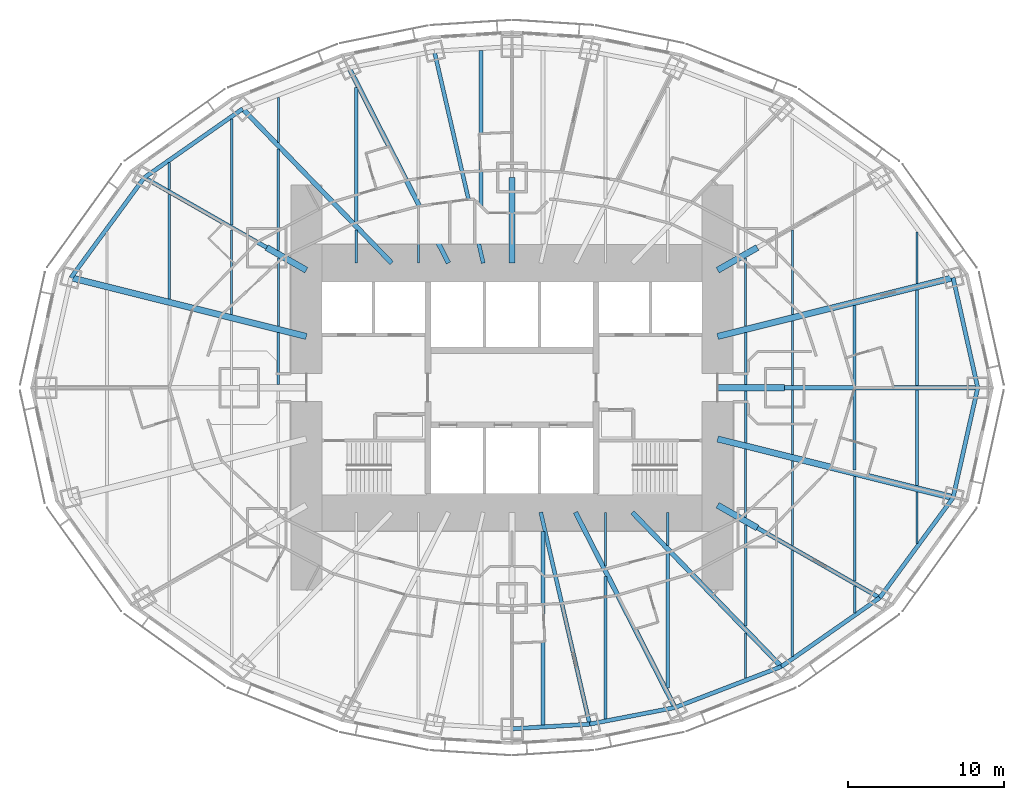
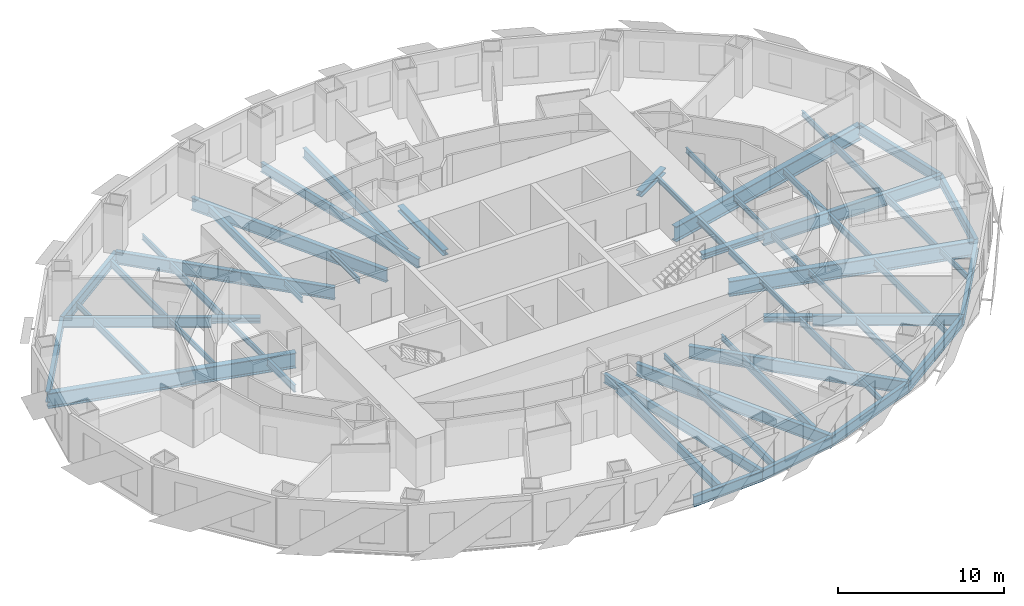
# One storey, part 2 of 15: 62 beams.
"""IFC4 building model written with IfcOpenShell, lengths in metres."""

from ifc_helpers import new_model, si_unit, direction, frame, origin, origin_2d, place, context, subcontext, project, spatial, i_section, extrude, material, material_profile, profile_set, type_object, element, save


model = new_model("IFC4")

# Units and contexts
model_context = context("Model", 3, precision=1e-05, world=origin(), true_north=direction((0.0, 1.0)))
body_context = subcontext(model_context, "Body", "Model", "MODEL_VIEW")
ifc_project = project(units=[si_unit("LENGTHUNIT", "METRE"), si_unit("AREAUNIT", "SQUARE_METRE"), si_unit("VOLUMEUNIT", "CUBIC_METRE"), si_unit("PLANEANGLEUNIT", "RADIAN"), si_unit("MASSUNIT", "GRAM", prefix="KILO")], contexts=[model_context])

# Site, building, storey
site_placement = place(None, origin())
site = spatial("IfcSite", under=ifc_project, at=site_placement, CompositionType="ELEMENT")
building_placement = place(site_placement, origin())
building = spatial("IfcBuilding", under=site, at=building_placement, Name="Lantaw Convention Tower", CompositionType="ELEMENT")
storey_placement = place(building_placement, frame((0.0, 0.0, 76.60009765625)))
storey = spatial("IfcBuildingStorey", under=building, at=storey_placement, Name="L17", CompositionType="ELEMENT", Elevation=76.60009765625)

# Beams
ifc_material = material(Name="Steel ASTM A992", Category="steel")
ifc_material_profile_1 = material_profile(ifc_material, i_section(OverallWidth=0.2666015625, OverallDepth=0.76953125, WebThickness=0.015625, FlangeThickness=0.025390625, FilletRadius=0.0126953125, at=origin_2d()), Name="W30X132")
ifc_profile_set_1 = profile_set([ifc_material_profile_1], Name="Steel ASTM A992")
beam_type_1 = type_object("IfcBeamType", Name="Beam E W30X132", PredefinedType="SPANDREL", material=ifc_profile_set_1)
beam_1_placement = place(storey_placement, frame((29.89990234375, 0.0, -0.534912109375), z_axis=(-0.218652184873, 0.975802860239, 0.0), x_axis=(-0.975802860239, -0.218652184873, 0.0)))
element("IfcBeam", 1, at=beam_1_placement, inside=storey, type_object=beam_type_1, Name="Edge beam 1", PredefinedType="SPANDREL", context=body_context, shape_type="SweptSolid", body=[
    extrude(i_section(OverallWidth=0.2666015625, OverallDepth=0.76953125, WebThickness=0.015625, FlangeThickness=0.025390625, FilletRadius=0.0126953125, at=origin_2d()), origin(), (0.0, 0.0, 1.0), 7.2353515625),
])
beam_2_placement = place(storey_placement, frame((-17.290771484375, 17.9052734375, -0.534912109375), z_axis=(-0.81942686407, -0.57318375277, 0.0), x_axis=(0.57318375277, -0.81942686407, 0.0)))
element("IfcBeam", 2, at=beam_2_placement, inside=storey, type_object=beam_type_1, Name="Edge beam 10", PredefinedType="SPANDREL", context=body_context, shape_type="SweptSolid", body=[
    extrude(i_section(OverallWidth=0.2666015625, OverallDepth=0.76953125, WebThickness=0.015625, FlangeThickness=0.025390625, FilletRadius=0.0126953125, at=origin_2d()), origin(), (0.0, 0.0, 1.0), 7.70556640625),
])
beam_3_placement = place(storey_placement, frame((-23.60498046875, 13.488525390625, -0.534912109375), z_axis=(-0.591270709086, -0.806473154281, 0.0), x_axis=(0.806473154281, -0.591270709086, 0.0)))
element("IfcBeam", 3, at=beam_3_placement, inside=storey, type_object=beam_type_1, Name="Edge beam 11", PredefinedType="SPANDREL", context=body_context, shape_type="SweptSolid", body=[
    extrude(i_section(OverallWidth=0.2666015625, OverallDepth=0.76953125, WebThickness=0.015625, FlangeThickness=0.025390625, FilletRadius=0.0126953125, at=origin_2d()), origin(), (0.0, 0.0, 1.0), 7.970703125),
])
beam_4_placement = place(storey_placement, frame((0.0, -21.89990234375, -0.534912109375), z_axis=(0.998173858406, 0.060406526096, 0.0), x_axis=(-0.060406526096, 0.998173858406, 0.0)))
element("IfcBeam", 4, at=beam_4_placement, inside=storey, type_object=beam_type_1, Name="Edge beam 19", PredefinedType="SPANDREL", context=body_context, shape_type="SweptSolid", body=[
    extrude(i_section(OverallWidth=0.2666015625, OverallDepth=0.76953125, WebThickness=0.015625, FlangeThickness=0.025390625, FilletRadius=0.0126953125, at=origin_2d()), origin(), (0.0, 0.0, 1.0), 4.995361328125),
])
beam_5_placement = place(storey_placement, frame((4.986328125, -21.59814453125, -0.534912109375), z_axis=(0.981636565323, 0.190760723474, 0.0), x_axis=(-0.190760723474, 0.981636565323, 0.0)))
element("IfcBeam", 5, at=beam_5_placement, inside=storey, type_object=beam_type_1, Name="Edge beam 20", PredefinedType="SPANDREL", context=body_context, shape_type="SweptSolid", body=[
    extrude(i_section(OverallWidth=0.2666015625, OverallDepth=0.76953125, WebThickness=0.015625, FlangeThickness=0.025390625, FilletRadius=0.0126953125, at=origin_2d()), origin(), (0.0, 0.0, 1.0), 5.578857421875),
])
beam_6_placement = place(storey_placement, frame((10.462646484375, -20.533935546875, -0.534912109375), z_axis=(0.933232900641, 0.359271976588, 0.0), x_axis=(-0.359271976588, 0.933232900641, 0.0)))
element("IfcBeam", 6, at=beam_6_placement, inside=storey, type_object=beam_type_1, Name="Edge beam 21", PredefinedType="SPANDREL", context=body_context, shape_type="SweptSolid", body=[
    extrude(i_section(OverallWidth=0.2666015625, OverallDepth=0.76953125, WebThickness=0.015625, FlangeThickness=0.025390625, FilletRadius=0.0126953125, at=origin_2d()), origin(), (0.0, 0.0, 1.0), 7.316650390625),
])
beam_7_placement = place(storey_placement, frame((17.290771484375, -17.9052734375, -0.534912109375), z_axis=(0.81942686407, 0.57318375277, 0.0), x_axis=(-0.57318375277, 0.81942686407, 0.0)))
element("IfcBeam", 7, at=beam_7_placement, inside=storey, type_object=beam_type_1, Name="Edge beam 22", PredefinedType="SPANDREL", context=body_context, shape_type="SweptSolid", body=[
    extrude(i_section(OverallWidth=0.2666015625, OverallDepth=0.76953125, WebThickness=0.015625, FlangeThickness=0.025390625, FilletRadius=0.0126953125, at=origin_2d()), origin(), (0.0, 0.0, 1.0), 7.70556640625),
])
beam_8_placement = place(storey_placement, frame((23.60498046875, -13.488525390625, -0.534912109375), z_axis=(0.591270709086, 0.806473154281, 0.0), x_axis=(-0.806473154281, 0.591270709086, 0.0)))
element("IfcBeam", 8, at=beam_8_placement, inside=storey, type_object=beam_type_1, Name="Edge beam 23", PredefinedType="SPANDREL", context=body_context, shape_type="SweptSolid", body=[
    extrude(i_section(OverallWidth=0.2666015625, OverallDepth=0.76953125, WebThickness=0.015625, FlangeThickness=0.025390625, FilletRadius=0.0126953125, at=origin_2d()), origin(), (0.0, 0.0, 1.0), 7.970703125),
])
beam_9_placement = place(storey_placement, frame((28.31787109375, -7.060302734375, -0.534912109375), z_axis=(0.218652184873, 0.975802860239, 0.0), x_axis=(-0.975802860239, 0.218652184873, 0.0)))
element("IfcBeam", 9, at=beam_9_placement, inside=storey, type_object=beam_type_1, Name="Edge beam 24", PredefinedType="SPANDREL", context=body_context, shape_type="SweptSolid", body=[
    extrude(i_section(OverallWidth=0.2666015625, OverallDepth=0.76953125, WebThickness=0.015625, FlangeThickness=0.025390625, FilletRadius=0.0126953125, at=origin_2d()), origin(), (0.0, 0.0, 1.0), 7.2353515625),
])
ifc_material_profile_2 = material_profile(ifc_material, i_section(OverallWidth=0.25390625, OverallDepth=0.683349609375, WebThickness=0.012451171875, FlangeThickness=0.01904296875, FilletRadius=0.01513671875, at=origin_2d()), Name="W27X94")
ifc_profile_set_2 = profile_set([ifc_material_profile_2], Name="Steel ASTM A992")
beam_type_2 = type_object("IfcBeamType", Name="Beam G W27X94", PredefinedType="BEAM", material=ifc_profile_set_2)
for number, where, z_axis, x_axis, name in (
    (10, (-1.846923828125, 8.0, -0.49169921875), (-0.224952773175, 0.97436966796, 0.0), (-0.97436966796, -0.224952773175, 0.0), "Floor girder on ray 8"),
    (11, (1.846923828125, -8.0, -0.49169921875), (0.224952773175, -0.97436966796, 0.0), (0.97436966796, 0.224952773175, 0.0), "Floor girder on ray 20"),
):
    element("IfcBeam", number, at=place(storey_placement, frame(where, z_axis=z_axis, x_axis=x_axis)), inside=storey, type_object=beam_type_2, Name=name, PredefinedType="BEAM", context=body_context, shape_type="SweptSolid", body=[
        extrude(i_section(OverallWidth=0.25390625, OverallDepth=0.683349609375, WebThickness=0.012451171875, FlangeThickness=0.01904296875, FilletRadius=0.01513671875, at=origin_2d()), origin(), (0.0, 0.0, 1.0), 13.955810546875),
    ])
ifc_material_profile_3 = material_profile(ifc_material, i_section(OverallWidth=0.2666015625, OverallDepth=0.7568359375, WebThickness=0.013916015625, FlangeThickness=0.019287109375, FilletRadius=0.0126953125, at=origin_2d()), Name="W30X108")
ifc_profile_set_3 = profile_set([ifc_material_profile_3], Name="Steel ASTM A992")
beam_type_3 = type_object("IfcBeamType", Name="Beam G W30X108", PredefinedType="BEAM", material=ifc_profile_set_3)
for number, where, z_axis, x_axis, name in (
    (12, (-15.75, 9.0, -0.528564453125), (-0.868244802791, 0.496136032179, 0.0), (-0.496136032179, -0.868244802791, 0.0), "Floor girder on ray 11"),
    (13, (15.75, -9.0, -0.528564453125), (0.868244802791, -0.496136032179, 0.0), (0.496136032179, 0.868244802791, 0.0), "Floor girder on ray 23"),
):
    element("IfcBeam", number, at=place(storey_placement, frame(where, z_axis=z_axis, x_axis=x_axis)), inside=storey, type_object=beam_type_3, Name=name, PredefinedType="BEAM", context=body_context, shape_type="SweptSolid", body=[
        extrude(i_section(OverallWidth=0.2666015625, OverallDepth=0.7568359375, WebThickness=0.013916015625, FlangeThickness=0.019287109375, FilletRadius=0.0126953125, at=origin_2d()), origin(), (0.0, 0.0, 1.0), 9.046875),
    ])
ifc_material_profile_4 = material_profile(ifc_material, i_section(OverallWidth=0.307373046875, OverallDepth=0.922119140625, WebThickness=0.018310546875, FlangeThickness=0.030029296875, FilletRadius=0.0126953125, at=origin_2d()), Name="W36X182")
ifc_profile_set_4 = profile_set([ifc_material_profile_4], Name="Steel ASTM A992")
beam_type_4 = type_object("IfcBeamType", Name="Beam G W36X182", PredefinedType="BEAM", material=ifc_profile_set_4)
beam_10_placement = place(storey_placement, frame((17.5, 0.0, -0.611083984375), z_axis=(1.0, 0.0, 0.0), x_axis=(0.0, 1.0, 0.0)))
element("IfcBeam", 14, at=beam_10_placement, inside=storey, type_object=beam_type_4, Name="Floor girder on ray 1", PredefinedType="BEAM", context=body_context, shape_type="SweptSolid", body=[
    extrude(i_section(OverallWidth=0.307373046875, OverallDepth=0.922119140625, WebThickness=0.018310546875, FlangeThickness=0.030029296875, FilletRadius=0.0126953125, at=origin_2d()), origin(), (0.0, 0.0, 1.0), 12.39990234375),
])
beam_11_placement = place(storey_placement, frame((-4.076171875, 8.0, -0.611083984375), z_axis=(-0.453997016122, 0.891003203896, 0.0), x_axis=(-0.891003203896, -0.453997016122, 0.0)))
element("IfcBeam", 15, at=beam_11_placement, inside=storey, type_object=beam_type_4, Name="Floor girder on ray 9", PredefinedType="BEAM", context=body_context, shape_type="SweptSolid", body=[
    extrude(i_section(OverallWidth=0.307373046875, OverallDepth=0.922119140625, WebThickness=0.018310546875, FlangeThickness=0.030029296875, FilletRadius=0.0126953125, at=origin_2d()), origin(), (0.0, 0.0, 1.0), 14.067138671875),
])
beam_12_placement = place(storey_placement, frame((-7.7255859375, 8.0, -0.611083984375), z_axis=(-0.694649884291, 0.719347995239, 0.0), x_axis=(-0.719347995239, -0.694649884291, 0.0)))
element("IfcBeam", 16, at=beam_12_placement, inside=storey, type_object=beam_type_4, Name="Floor girder on ray 10", PredefinedType="BEAM", context=body_context, shape_type="SweptSolid", body=[
    extrude(i_section(OverallWidth=0.307373046875, OverallDepth=0.922119140625, WebThickness=0.018310546875, FlangeThickness=0.030029296875, FilletRadius=0.0126953125, at=origin_2d()), origin(), (0.0, 0.0, 1.0), 13.769775390625),
])
beam_13_placement = place(storey_placement, frame((4.076171875, -8.0, -0.611083984375), z_axis=(0.453997016122, -0.891003203896, 0.0), x_axis=(0.891003203896, 0.453997016122, 0.0)))
element("IfcBeam", 17, at=beam_13_placement, inside=storey, type_object=beam_type_4, Name="Floor girder on ray 21", PredefinedType="BEAM", context=body_context, shape_type="SweptSolid", body=[
    extrude(i_section(OverallWidth=0.307373046875, OverallDepth=0.922119140625, WebThickness=0.018310546875, FlangeThickness=0.030029296875, FilletRadius=0.0126953125, at=origin_2d()), origin(), (0.0, 0.0, 1.0), 14.067138671875),
])
beam_14_placement = place(storey_placement, frame((7.7255859375, -8.0, -0.611083984375), z_axis=(0.694649884291, -0.719347995239, 0.0), x_axis=(0.719347995239, 0.694649884291, 0.0)))
element("IfcBeam", 18, at=beam_14_placement, inside=storey, type_object=beam_type_4, Name="Floor girder on ray 22", PredefinedType="BEAM", context=body_context, shape_type="SweptSolid", body=[
    extrude(i_section(OverallWidth=0.307373046875, OverallDepth=0.922119140625, WebThickness=0.018310546875, FlangeThickness=0.030029296875, FilletRadius=0.0126953125, at=origin_2d()), origin(), (0.0, 0.0, 1.0), 13.769775390625),
])
ifc_material_profile_5 = material_profile(ifc_material, i_section(OverallWidth=0.40380859375, OverallDepth=1.11767578125, WebThickness=0.026123046875, FlangeThickness=0.044921875, FilletRadius=0.02001953125, at=origin_2d()), Name="W44X335")
ifc_profile_set_5 = profile_set([ifc_material_profile_5], Name="Steel ASTM A992")
beam_type_5 = type_object("IfcBeamType", Name="Beam G W44X335", PredefinedType="BEAM", material=ifc_profile_set_5)
for number, where, z_axis, x_axis, name in (
    (19, (13.199951171875, 3.291015625, -0.708984375), (0.970296233567, 0.241919860957, 0.0), (-0.241919860957, 0.970296233567, 0.0), "Floor girder on ray 2"),
    (20, (-13.199951171875, 3.291015625, -0.708984375), (-0.970296233567, 0.241919860957, 0.0), (-0.241919860957, -0.970296233567, 0.0), "Floor girder on ray 12"),
    (21, (13.199951171875, -3.291015625, -0.708984375), (0.970296233567, -0.241919860957, 0.0), (0.241919860957, 0.970296233567, 0.0), "Floor girder on ray 24"),
):
    element("IfcBeam", number, at=place(storey_placement, frame(where, z_axis=z_axis, x_axis=x_axis)), inside=storey, type_object=beam_type_5, Name=name, PredefinedType="BEAM", context=body_context, shape_type="SweptSolid", body=[
        extrude(i_section(OverallWidth=0.40380859375, OverallDepth=1.11767578125, WebThickness=0.026123046875, FlangeThickness=0.044921875, FilletRadius=0.02001953125, at=origin_2d()), origin(), (0.0, 0.0, 1.0), 15.580810546875),
    ])
ifc_material_profile_6 = material_profile(ifc_material, i_section(OverallWidth=0.40380859375, OverallDepth=0.406494140625, WebThickness=0.027099609375, FlangeThickness=0.043701171875, FilletRadius=0.01513671875, at=origin_2d()), Name="W14X233")
ifc_profile_set_6 = profile_set([ifc_material_profile_6], Name="Steel ASTM A992")
beam_type_6 = type_object("IfcBeamType", Name="Beam GM W14X233", PredefinedType="BEAM", material=ifc_profile_set_6)
beam_15_placement = place(storey_placement, frame((13.199951171875, 0.0, -0.353271484375), z_axis=(1.0, 0.0, 0.0), x_axis=(0.0, 1.0, 0.0)))
element("IfcBeam", 22, at=beam_15_placement, inside=storey, type_object=beam_type_6, Name="Core link beam on ray 1", PredefinedType="BEAM", context=body_context, shape_type="SweptSolid", body=[
    extrude(i_section(OverallWidth=0.40380859375, OverallDepth=0.406494140625, WebThickness=0.027099609375, FlangeThickness=0.043701171875, FilletRadius=0.01513671875, at=origin_2d()), origin(), (0.0, 0.0, 1.0), 4.300048828125),
])
beam_16_placement = place(storey_placement, frame((13.199951171875, 7.54296875, -0.353271484375), z_axis=(0.868263603466, 0.496103129295, 0.0), x_axis=(-0.496103129295, 0.868263603466, 0.0)))
element("IfcBeam", 23, at=beam_16_placement, inside=storey, type_object=beam_type_6, Name="Core link beam on ray 3", PredefinedType="BEAM", context=body_context, shape_type="SweptSolid", body=[
    extrude(i_section(OverallWidth=0.40380859375, OverallDepth=0.406494140625, WebThickness=0.027099609375, FlangeThickness=0.043701171875, FilletRadius=0.01513671875, at=origin_2d()), origin(), (0.0, 0.0, 1.0), 2.93701171875),
])
beam_17_placement = place(storey_placement, frame((0.0, 8.0, -0.353271484375), z_axis=(0.0, 1.0, 0.0), x_axis=(-1.0, 0.0, 0.0)))
element("IfcBeam", 24, at=beam_17_placement, inside=storey, type_object=beam_type_6, Name="Core link beam on ray 7", PredefinedType="BEAM", context=body_context, shape_type="SweptSolid", body=[
    extrude(i_section(OverallWidth=0.40380859375, OverallDepth=0.406494140625, WebThickness=0.027099609375, FlangeThickness=0.043701171875, FilletRadius=0.01513671875, at=origin_2d()), origin(), (0.0, 0.0, 1.0), 5.5),
])
for number, where, z_axis, x_axis, name in (
    (25, (-13.199951171875, 7.54296875, -0.353271484375), (-0.868263603466, 0.496103129295, 0.0), (-0.496103129295, -0.868263603466, 0.0), "Core link beam on ray 11"),
    (26, (13.199951171875, -7.54296875, -0.353271484375), (0.868263603466, -0.496103129295, 0.0), (0.496103129295, 0.868263603466, 0.0), "Core link beam on ray 23"),
):
    element("IfcBeam", number, at=place(storey_placement, frame(where, z_axis=z_axis, x_axis=x_axis)), inside=storey, type_object=beam_type_6, Name=name, PredefinedType="BEAM", context=body_context, shape_type="SweptSolid", body=[
        extrude(i_section(OverallWidth=0.40380859375, OverallDepth=0.406494140625, WebThickness=0.027099609375, FlangeThickness=0.043701171875, FilletRadius=0.01513671875, at=origin_2d()), origin(), (0.0, 0.0, 1.0), 2.93701171875),
    ])
ifc_material_profile_7 = material_profile(ifc_material, i_section(OverallWidth=0.140380859375, OverallDepth=0.40380859375, WebThickness=0.007080078125, FlangeThickness=0.01123046875, FilletRadius=0.01025390625, at=origin_2d()), Name="W16X31")
ifc_profile_set_7 = profile_set([ifc_material_profile_7], Name="Steel ASTM A992")
beam_type_7 = type_object("IfcBeamType", Name="Beam J W16X31", PredefinedType="JOIST", material=ifc_profile_set_7)
beam_18_placement = place(storey_placement, frame((-22.0, 12.72509765625, -0.35205078125), z_axis=(0.0, 1.0, 0.0), x_axis=(-1.0, 0.0, 0.0)))
element("IfcBeam", 27, at=beam_18_placement, inside=storey, type_object=beam_type_7, Name="Floor joist", PredefinedType="JOIST", context=body_context, shape_type="SweptSolid", body=[
    extrude(i_section(OverallWidth=0.140380859375, OverallDepth=0.40380859375, WebThickness=0.007080078125, FlangeThickness=0.01123046875, FilletRadius=0.01025390625, at=origin_2d()), origin(), (0.0, 0.0, 1.0), 1.723388671875),
])
beam_19_placement = place(storey_placement, frame((-18.0, 4.696044921875, -0.35205078125), z_axis=(0.0, 1.0, 0.0), x_axis=(-1.0, 0.0, 0.0)))
element("IfcBeam", 28, at=beam_19_placement, inside=storey, type_object=beam_type_7, Name="Floor joist", PredefinedType="JOIST", context=body_context, shape_type="SweptSolid", body=[
    extrude(i_section(OverallWidth=0.140380859375, OverallDepth=0.40380859375, WebThickness=0.007080078125, FlangeThickness=0.01123046875, FilletRadius=0.01025390625, at=origin_2d()), origin(), (0.0, 0.0, 1.0), 5.43603515625),
])
beam_20_placement = place(storey_placement, frame((-15.0, 3.947998046875, -0.35205078125), z_axis=(0.0, 1.0, 0.0), x_axis=(-1.0, 0.0, 0.0)))
element("IfcBeam", 29, at=beam_20_placement, inside=storey, type_object=beam_type_7, Name="Floor joist", PredefinedType="JOIST", context=body_context, shape_type="SweptSolid", body=[
    extrude(i_section(OverallWidth=0.140380859375, OverallDepth=0.40380859375, WebThickness=0.007080078125, FlangeThickness=0.01123046875, FilletRadius=0.01025390625, at=origin_2d()), origin(), (0.0, 0.0, 1.0), 4.390869140625),
])
beam_21_placement = place(storey_placement, frame((-15.0, 15.754150390625, -0.35205078125), z_axis=(0.0, 1.0, 0.0), x_axis=(-1.0, 0.0, 0.0)))
element("IfcBeam", 30, at=beam_21_placement, inside=storey, type_object=beam_type_7, Name="Floor joist", PredefinedType="JOIST", context=body_context, shape_type="SweptSolid", body=[
    extrude(i_section(OverallWidth=0.140380859375, OverallDepth=0.40380859375, WebThickness=0.007080078125, FlangeThickness=0.01123046875, FilletRadius=0.01025390625, at=origin_2d()), origin(), (0.0, 0.0, 1.0), 2.89013671875),
])
beam_22_placement = place(storey_placement, frame((-10.0, 8.0, -0.35205078125), z_axis=(0.0, 1.0, 0.0), x_axis=(-1.0, 0.0, 0.0)))
element("IfcBeam", 31, at=beam_22_placement, inside=storey, type_object=beam_type_7, Name="Floor joist", PredefinedType="JOIST", context=body_context, shape_type="SweptSolid", body=[
    extrude(i_section(OverallWidth=0.140380859375, OverallDepth=0.40380859375, WebThickness=0.007080078125, FlangeThickness=0.01123046875, FilletRadius=0.01025390625, at=origin_2d()), origin(), (0.0, 0.0, 1.0), 2.134033203125),
])
for number, where, z_axis, x_axis, name in (
    (32, (-6.0, 8.0, -0.35205078125), (0.0, 1.0, 0.0), (-1.0, 0.0, 0.0), "Floor joist"),
    (33, (6.0, -11.437255859375, -0.35205078125), (0.0, 1.0, 0.0), (-1.0, 0.0, 0.0), "Floor joist"),
):
    element("IfcBeam", number, at=place(storey_placement, frame(where, z_axis=z_axis, x_axis=x_axis)), inside=storey, type_object=beam_type_7, Name=name, PredefinedType="JOIST", context=body_context, shape_type="SweptSolid", body=[
        extrude(i_section(OverallWidth=0.140380859375, OverallDepth=0.40380859375, WebThickness=0.007080078125, FlangeThickness=0.01123046875, FilletRadius=0.01025390625, at=origin_2d()), origin(), (0.0, 0.0, 1.0), 3.437255859375),
    ])
beam_23_placement = place(storey_placement, frame((10.0, -10.134033203125, -0.35205078125), z_axis=(0.0, 1.0, 0.0), x_axis=(-1.0, 0.0, 0.0)))
element("IfcBeam", 34, at=beam_23_placement, inside=storey, type_object=beam_type_7, Name="Floor joist", PredefinedType="JOIST", context=body_context, shape_type="SweptSolid", body=[
    extrude(i_section(OverallWidth=0.140380859375, OverallDepth=0.40380859375, WebThickness=0.007080078125, FlangeThickness=0.01123046875, FilletRadius=0.01025390625, at=origin_2d()), origin(), (0.0, 0.0, 1.0), 2.134033203125),
])
beam_24_placement = place(storey_placement, frame((15.0, -18.644287109375, -0.35205078125), z_axis=(0.0, 1.0, 0.0), x_axis=(-1.0, 0.0, 0.0)))
element("IfcBeam", 35, at=beam_24_placement, inside=storey, type_object=beam_type_7, Name="Floor joist", PredefinedType="JOIST", context=body_context, shape_type="SweptSolid", body=[
    extrude(i_section(OverallWidth=0.140380859375, OverallDepth=0.40380859375, WebThickness=0.007080078125, FlangeThickness=0.01123046875, FilletRadius=0.01025390625, at=origin_2d()), origin(), (0.0, 0.0, 1.0), 2.89013671875),
])
for number, where, z_axis, x_axis, name in (
    (36, (15.0, -8.3388671875, -0.35205078125), (0.0, 1.0, 0.0), (-1.0, 0.0, 0.0), "Floor joist"),
    (37, (15.0, 3.947998046875, -0.35205078125), (0.0, 1.0, 0.0), (-1.0, 0.0, 0.0), "Floor joist"),
):
    element("IfcBeam", number, at=place(storey_placement, frame(where, z_axis=z_axis, x_axis=x_axis)), inside=storey, type_object=beam_type_7, Name=name, PredefinedType="JOIST", context=body_context, shape_type="SweptSolid", body=[
        extrude(i_section(OverallWidth=0.140380859375, OverallDepth=0.40380859375, WebThickness=0.007080078125, FlangeThickness=0.01123046875, FilletRadius=0.01025390625, at=origin_2d()), origin(), (0.0, 0.0, 1.0), 4.390869140625),
    ])
beam_25_placement = place(storey_placement, frame((18.0, -10.132080078125, -0.35205078125), z_axis=(0.0, 1.0, 0.0), x_axis=(-1.0, 0.0, 0.0)))
element("IfcBeam", 38, at=beam_25_placement, inside=storey, type_object=beam_type_7, Name="Floor joist", PredefinedType="JOIST", context=body_context, shape_type="SweptSolid", body=[
    extrude(i_section(OverallWidth=0.140380859375, OverallDepth=0.40380859375, WebThickness=0.007080078125, FlangeThickness=0.01123046875, FilletRadius=0.01025390625, at=origin_2d()), origin(), (0.0, 0.0, 1.0), 5.43603515625),
])
for number, where, z_axis, x_axis, name in (
    (39, (18.0, -4.27978515625, -0.35205078125), (0.0, 1.0, 0.0), (-1.0, 0.0, 0.0), "Floor joist"),
    (40, (18.0, 0.153564453125, -0.35205078125), (0.0, 1.0, 0.0), (-1.0, 0.0, 0.0), "Floor joist"),
):
    element("IfcBeam", number, at=place(storey_placement, frame(where, z_axis=z_axis, x_axis=x_axis)), inside=storey, type_object=beam_type_7, Name=name, PredefinedType="JOIST", context=body_context, shape_type="SweptSolid", body=[
        extrude(i_section(OverallWidth=0.140380859375, OverallDepth=0.40380859375, WebThickness=0.007080078125, FlangeThickness=0.01123046875, FilletRadius=0.01025390625, at=origin_2d()), origin(), (0.0, 0.0, 1.0), 4.126220703125),
    ])
beam_26_placement = place(storey_placement, frame((18.0, 4.696044921875, -0.35205078125), z_axis=(0.0, 1.0, 0.0), x_axis=(-1.0, 0.0, 0.0)))
element("IfcBeam", 41, at=beam_26_placement, inside=storey, type_object=beam_type_7, Name="Floor joist", PredefinedType="JOIST", context=body_context, shape_type="SweptSolid", body=[
    extrude(i_section(OverallWidth=0.140380859375, OverallDepth=0.40380859375, WebThickness=0.007080078125, FlangeThickness=0.01123046875, FilletRadius=0.01025390625, at=origin_2d()), origin(), (0.0, 0.0, 1.0), 5.43603515625),
])
beam_27_placement = place(storey_placement, frame((22.0, -14.448486328125, -0.35205078125), z_axis=(0.0, 1.0, 0.0), x_axis=(-1.0, 0.0, 0.0)))
element("IfcBeam", 42, at=beam_27_placement, inside=storey, type_object=beam_type_7, Name="Floor joist", PredefinedType="JOIST", context=body_context, shape_type="SweptSolid", body=[
    extrude(i_section(OverallWidth=0.140380859375, OverallDepth=0.40380859375, WebThickness=0.007080078125, FlangeThickness=0.01123046875, FilletRadius=0.01025390625, at=origin_2d()), origin(), (0.0, 0.0, 1.0), 1.723388671875),
])
for number, where, z_axis, x_axis, name in (
    (43, (26.0, -9.996337890625, -0.35205078125), (0.0, 1.0, 0.0), (-1.0, 0.0, 0.0), "Floor joist"),
    (44, (26.0, 6.690673828125, -0.35205078125), (0.0, 1.0, 0.0), (-1.0, 0.0, 0.0), "Floor joist"),
):
    element("IfcBeam", number, at=place(storey_placement, frame(where, z_axis=z_axis, x_axis=x_axis)), inside=storey, type_object=beam_type_7, Name=name, PredefinedType="JOIST", context=body_context, shape_type="SweptSolid", body=[
        extrude(i_section(OverallWidth=0.140380859375, OverallDepth=0.40380859375, WebThickness=0.007080078125, FlangeThickness=0.01123046875, FilletRadius=0.01025390625, at=origin_2d()), origin(), (0.0, 0.0, 1.0), 3.3056640625),
    ])
ifc_material_profile_8 = material_profile(ifc_material, i_section(OverallWidth=0.1904296875, OverallDepth=0.457275390625, WebThickness=0.009033203125, FlangeThickness=0.014404296875, FilletRadius=0.01025390625, at=origin_2d()), Name="W18X50")
ifc_profile_set_8 = profile_set([ifc_material_profile_8], Name="Steel ASTM A992")
beam_type_8 = type_object("IfcBeamType", Name="Beam J W18X50", PredefinedType="JOIST", material=ifc_profile_set_8)
for number, where, z_axis, x_axis, name in (
    (45, (22.0, -5.277099609375, -0.378662109375), (0.0, 1.0, 0.0), (-1.0, 0.0, 0.0), "Floor joist"),
    (46, (22.0, 0.153564453125, -0.378662109375), (0.0, 1.0, 0.0), (-1.0, 0.0, 0.0), "Floor joist"),
):
    element("IfcBeam", number, at=place(storey_placement, frame(where, z_axis=z_axis, x_axis=x_axis)), inside=storey, type_object=beam_type_8, Name=name, PredefinedType="JOIST", context=body_context, shape_type="SweptSolid", body=[
        extrude(i_section(OverallWidth=0.1904296875, OverallDepth=0.457275390625, WebThickness=0.009033203125, FlangeThickness=0.014404296875, FilletRadius=0.01025390625, at=origin_2d()), origin(), (0.0, 0.0, 1.0), 5.12353515625),
    ])
ifc_material_profile_9 = material_profile(ifc_material, i_section(OverallWidth=0.1650390625, OverallDepth=0.52587890625, WebThickness=0.0087890625, FlangeThickness=0.011474609375, FilletRadius=0.0126953125, at=origin_2d()), Name="W21X44")
ifc_profile_set_9 = profile_set([ifc_material_profile_9], Name="Steel ASTM A992")
beam_type_9 = type_object("IfcBeamType", Name="Beam J W21X44", PredefinedType="JOIST", material=ifc_profile_set_9)
beam_28_placement = place(storey_placement, frame((-22.0, 5.693359375, -0.4130859375), z_axis=(0.0, 1.0, 0.0), x_axis=(-1.0, 0.0, 0.0)))
element("IfcBeam", 47, at=beam_28_placement, inside=storey, type_object=beam_type_9, Name="Floor joist", PredefinedType="JOIST", context=body_context, shape_type="SweptSolid", body=[
    extrude(i_section(OverallWidth=0.1650390625, OverallDepth=0.52587890625, WebThickness=0.0087890625, FlangeThickness=0.011474609375, FilletRadius=0.0126953125, at=origin_2d()), origin(), (0.0, 0.0, 1.0), 6.724609375),
])
beam_29_placement = place(storey_placement, frame((-18.0, 10.439208984375, -0.4130859375), z_axis=(0.0, 1.0, 0.0), x_axis=(-1.0, 0.0, 0.0)))
element("IfcBeam", 48, at=beam_29_placement, inside=storey, type_object=beam_type_9, Name="Floor joist", PredefinedType="JOIST", context=body_context, shape_type="SweptSolid", body=[
    extrude(i_section(OverallWidth=0.1650390625, OverallDepth=0.52587890625, WebThickness=0.0087890625, FlangeThickness=0.011474609375, FilletRadius=0.0126953125, at=origin_2d()), origin(), (0.0, 0.0, 1.0), 6.80712890625),
])
for number, where, z_axis, x_axis, name in (
    (49, (-15.0, 8.803955078125, -0.4130859375), (0.0, 1.0, 0.0), (-1.0, 0.0, 0.0), "Floor joist"),
    (50, (15.0, -15.311767578125, -0.4130859375), (0.0, 1.0, 0.0), (-1.0, 0.0, 0.0), "Floor joist"),
):
    element("IfcBeam", number, at=place(storey_placement, frame(where, z_axis=z_axis, x_axis=x_axis)), inside=storey, type_object=beam_type_9, Name=name, PredefinedType="JOIST", context=body_context, shape_type="SweptSolid", body=[
        extrude(i_section(OverallWidth=0.1650390625, OverallDepth=0.52587890625, WebThickness=0.0087890625, FlangeThickness=0.011474609375, FilletRadius=0.0126953125, at=origin_2d()), origin(), (0.0, 0.0, 1.0), 6.5078125),
    ])
beam_30_placement = place(storey_placement, frame((18.0, -17.246337890625, -0.4130859375), z_axis=(0.0, 1.0, 0.0), x_axis=(-1.0, 0.0, 0.0)))
element("IfcBeam", 51, at=beam_30_placement, inside=storey, type_object=beam_type_9, Name="Floor joist", PredefinedType="JOIST", context=body_context, shape_type="SweptSolid", body=[
    extrude(i_section(OverallWidth=0.1650390625, OverallDepth=0.52587890625, WebThickness=0.0087890625, FlangeThickness=0.011474609375, FilletRadius=0.0126953125, at=origin_2d()), origin(), (0.0, 0.0, 1.0), 6.80712890625),
])
beam_31_placement = place(storey_placement, frame((22.0, -12.41796875, -0.4130859375), z_axis=(0.0, 1.0, 0.0), x_axis=(-1.0, 0.0, 0.0)))
element("IfcBeam", 52, at=beam_31_placement, inside=storey, type_object=beam_type_9, Name="Floor joist", PredefinedType="JOIST", context=body_context, shape_type="SweptSolid", body=[
    extrude(i_section(OverallWidth=0.1650390625, OverallDepth=0.52587890625, WebThickness=0.0087890625, FlangeThickness=0.011474609375, FilletRadius=0.0126953125, at=origin_2d()), origin(), (0.0, 0.0, 1.0), 6.724609375),
])
ifc_material_profile_10 = material_profile(ifc_material, i_section(OverallWidth=0.165771484375, OverallDepth=0.5283203125, WebThickness=0.009765625, FlangeThickness=0.013671875, FilletRadius=0.012939453125, at=origin_2d()), Name="W21X50")
ifc_profile_set_10 = profile_set([ifc_material_profile_10], Name="Steel ASTM A992")
beam_type_10 = type_object("IfcBeamType", Name="Beam J W21X50", PredefinedType="JOIST", material=ifc_profile_set_10)
for number, where, z_axis, x_axis, name in (
    (53, (-15.0, 0.201904296875, -0.414306640625), (0.0, 1.0, 0.0), (-1.0, 0.0, 0.0), "Floor joist"),
    (54, (15.0, -3.53173828125, -0.414306640625), (0.0, 1.0, 0.0), (-1.0, 0.0, 0.0), "Floor joist"),
    (55, (15.0, 0.201904296875, -0.414306640625), (0.0, 1.0, 0.0), (-1.0, 0.0, 0.0), "Floor joist"),
):
    element("IfcBeam", number, at=place(storey_placement, frame(where, z_axis=z_axis, x_axis=x_axis)), inside=storey, type_object=beam_type_10, Name=name, PredefinedType="JOIST", context=body_context, shape_type="SweptSolid", body=[
        extrude(i_section(OverallWidth=0.165771484375, OverallDepth=0.5283203125, WebThickness=0.009765625, FlangeThickness=0.013671875, FilletRadius=0.012939453125, at=origin_2d()), origin(), (0.0, 0.0, 1.0), 3.329833984375),
    ])
for number, where, z_axis, x_axis, name in (
    (56, (26.0, -6.2744140625, -0.414306640625), (0.0, 1.0, 0.0), (-1.0, 0.0, 0.0), "Floor joist"),
    (57, (26.0, 0.153564453125, -0.414306640625), (0.0, 1.0, 0.0), (-1.0, 0.0, 0.0), "Floor joist"),
):
    element("IfcBeam", number, at=place(storey_placement, frame(where, z_axis=z_axis, x_axis=x_axis)), inside=storey, type_object=beam_type_10, Name=name, PredefinedType="JOIST", context=body_context, shape_type="SweptSolid", body=[
        extrude(i_section(OverallWidth=0.165771484375, OverallDepth=0.5283203125, WebThickness=0.009765625, FlangeThickness=0.013671875, FilletRadius=0.012939453125, at=origin_2d()), origin(), (0.0, 0.0, 1.0), 6.120849609375),
    ])
ifc_material_profile_11 = material_profile(ifc_material, i_section(OverallWidth=0.2099609375, OverallDepth=0.535888671875, WebThickness=0.010986328125, FlangeThickness=0.017333984375, FilletRadius=0.012939453125, at=origin_2d()), Name="W21X68")
ifc_profile_set_11 = profile_set([ifc_material_profile_11], Name="Steel ASTM A992")
beam_type_11 = type_object("IfcBeamType", Name="Beam J W21X68", PredefinedType="JOIST", material=ifc_profile_set_11)
beam_32_placement = place(storey_placement, frame((6.0, -21.26513671875, -0.41796875), z_axis=(0.0, 1.0, 0.0), x_axis=(-1.0, 0.0, 0.0)))
element("IfcBeam", 58, at=beam_32_placement, inside=storey, type_object=beam_type_11, Name="Floor joist", PredefinedType="JOIST", context=body_context, shape_type="SweptSolid", body=[
    extrude(i_section(OverallWidth=0.2099609375, OverallDepth=0.535888671875, WebThickness=0.010986328125, FlangeThickness=0.017333984375, FilletRadius=0.012939453125, at=origin_2d()), origin(), (0.0, 0.0, 1.0), 9.15087890625),
])
ifc_material_profile_12 = material_profile(ifc_material, i_section(OverallWidth=0.227783203125, OverallDepth=0.60205078125, WebThickness=0.010498046875, FlangeThickness=0.014892578125, FilletRadius=0.012939453125, at=origin_2d()), Name="W24X68")
ifc_profile_set_12 = profile_set([ifc_material_profile_12], Name="Steel ASTM A992")
beam_type_12 = type_object("IfcBeamType", Name="Beam J W24X68", PredefinedType="JOIST", material=ifc_profile_set_12)
for number, where, z_axis, x_axis, name in (
    (59, (-10.0, 10.576416015625, -0.451171875), (0.0, 1.0, 0.0), (-1.0, 0.0, 0.0), "Floor joist"),
    (60, (10.0, -19.28759765625, -0.451171875), (0.0, 1.0, 0.0), (-1.0, 0.0, 0.0), "Floor joist"),
):
    element("IfcBeam", number, at=place(storey_placement, frame(where, z_axis=z_axis, x_axis=x_axis)), inside=storey, type_object=beam_type_12, Name=name, PredefinedType="JOIST", context=body_context, shape_type="SweptSolid", body=[
        extrude(i_section(OverallWidth=0.227783203125, OverallDepth=0.60205078125, WebThickness=0.010498046875, FlangeThickness=0.014892578125, FilletRadius=0.012939453125, at=origin_2d()), origin(), (0.0, 0.0, 1.0), 8.711181640625),
    ])
ifc_material_profile_13 = material_profile(ifc_material, i_section(OverallWidth=0.25390625, OverallDepth=0.700927734375, WebThickness=0.015380859375, FlangeThickness=0.02783203125, FilletRadius=0.01513671875, at=origin_2d()), Name="W27X129")
ifc_profile_set_13 = profile_set([ifc_material_profile_13], Name="Steel ASTM A992")
beam_type_13 = type_object("IfcBeamType", Name="Beam J W27X129", PredefinedType="JOIST", material=ifc_profile_set_13)
for number, where, z_axis, x_axis, name in (
    (61, (-2.0, 9.2275390625, -0.500732421875), (0.0, 1.0, 0.0), (-1.0, 0.0, 0.0), "Floor joist"),
    (62, (2.0, -21.645263671875, -0.500732421875), (0.0, 1.0, 0.0), (-1.0, 0.0, 0.0), "Floor joist"),
):
    element("IfcBeam", number, at=place(storey_placement, frame(where, z_axis=z_axis, x_axis=x_axis)), inside=storey, type_object=beam_type_13, Name=name, PredefinedType="JOIST", context=body_context, shape_type="SweptSolid", body=[
        extrude(i_section(OverallWidth=0.25390625, OverallDepth=0.700927734375, WebThickness=0.015380859375, FlangeThickness=0.02783203125, FilletRadius=0.01513671875, at=origin_2d()), origin(), (0.0, 0.0, 1.0), 12.417724609375),
    ])

save(model, "model.ifc")
